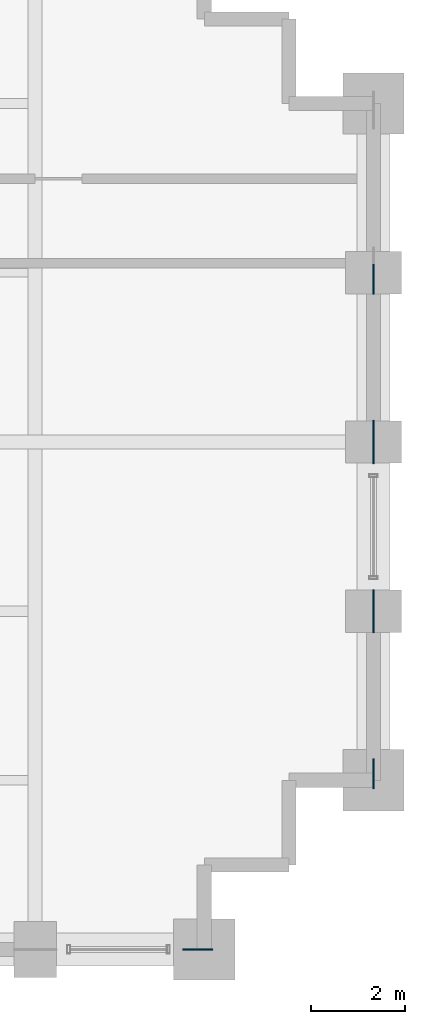
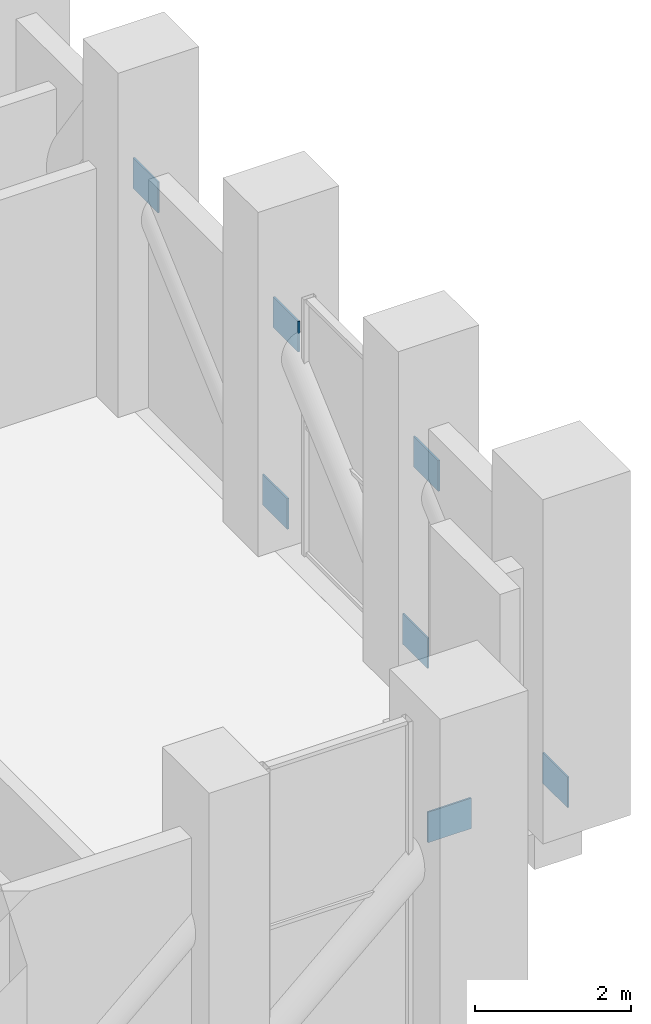
# One storey, part 23 of 27: 7 plates.
"""IFC4 building model written with IfcOpenShell, lengths in metres."""

from ifc_helpers import new_model, si_unit, direction, frame, origin, origin_2d, place, context, subcontext, project, spatial, rectangle, extrude, material, layer, layer_set, type_object, element, save


model = new_model("IFC4")

# Units and contexts
model_context = context("Model", 3, precision=1e-05, world=origin(), true_north=direction((0.0, 1.0)))
body_context = subcontext(model_context, "Body", "Model", "MODEL_VIEW")
ifc_project = project(units=[si_unit("LENGTHUNIT", "METRE"), si_unit("AREAUNIT", "SQUARE_METRE"), si_unit("VOLUMEUNIT", "CUBIC_METRE"), si_unit("PLANEANGLEUNIT", "RADIAN"), si_unit("MASSUNIT", "GRAM", prefix="KILO")], contexts=[model_context])

# Site, building, storey
site_placement = place(None, origin())
site = spatial("IfcSite", under=ifc_project, at=site_placement, CompositionType="ELEMENT")
building_placement = place(site_placement, origin())
building = spatial("IfcBuilding", under=site, at=building_placement, Name="Solnavia Interchange Tower", CompositionType="ELEMENT")
storey_placement = place(building_placement, frame((0.0, 0.0, 74.699951171875)))
storey = spatial("IfcBuildingStorey", under=building, at=storey_placement, Name="L18", CompositionType="ELEMENT", Elevation=74.699951171875)

# Plates
ifc_material = material(Name="Steel S460", Category="steel")
ifc_layer = layer(ifc_material, 0.02490234375)
ifc_layer_set = layer_set([ifc_layer], Name="Steel S460")
plate_type = type_object("IfcPlateType", Name="Plate-Gusset-640x480x25", PredefinedType="USERDEFINED", material=ifc_layer_set)
for number, where, z_axis, x_axis, name in (
    (1, (57.4599609375, 3.60009765625, 3.010009765625), (0.0, 0.0, 1.0), (1.0, 0.0, 0.0), "PLT-L18-GP36 Belt truss gusset plate"),
    (2, (61.199951171875, 7.340087890625, 0.06005859375), (0.0, 0.0, 1.0), (0.0, 1.0, 0.0), "PLT-L18-GP37 Belt truss gusset plate"),
    (3, (61.199951171875, 10.659912109375, 3.010009765625), (0.0, 0.0, 1.0), (0.0, 1.0, 0.0), "PLT-L18-GP38 Belt truss gusset plate"),
    (4, (61.199951171875, 10.93994140625, 0.06005859375), (0.0, 0.0, 1.0), (0.0, 1.0, 0.0), "PLT-L18-GP39 Belt truss gusset plate"),
    (5, (61.199951171875, 14.260009765625, 3.010009765625), (0.0, 0.0, 1.0), (0.0, 1.0, 0.0), "PLT-L18-GP40 Belt truss gusset plate"),
    (6, (61.199951171875, 14.5400390625, 0.06005859375), (0.0, 0.0, 1.0), (0.0, 1.0, 0.0), "PLT-L18-GP41 Belt truss gusset plate"),
    (7, (61.199951171875, 17.860107421875, 3.010009765625), (0.0, 0.0, 1.0), (0.0, 1.0, 0.0), "PLT-L18-GP42 Belt truss gusset plate"),
):
    element("IfcPlate", number, at=place(storey_placement, frame(where, z_axis=z_axis, x_axis=x_axis)), inside=storey, type_object=plate_type, Name=name, ObjectType="GUSSET PLATE", PredefinedType="USERDEFINED", context=body_context, shape_type="SweptSolid", body=[
        extrude(rectangle(XDim=0.639892578125, YDim=0.02490234375, at=origin_2d()), origin(), (0.0, 0.0, 1.0), 0.47998046875),
    ])

save(model, "model.ifc")
